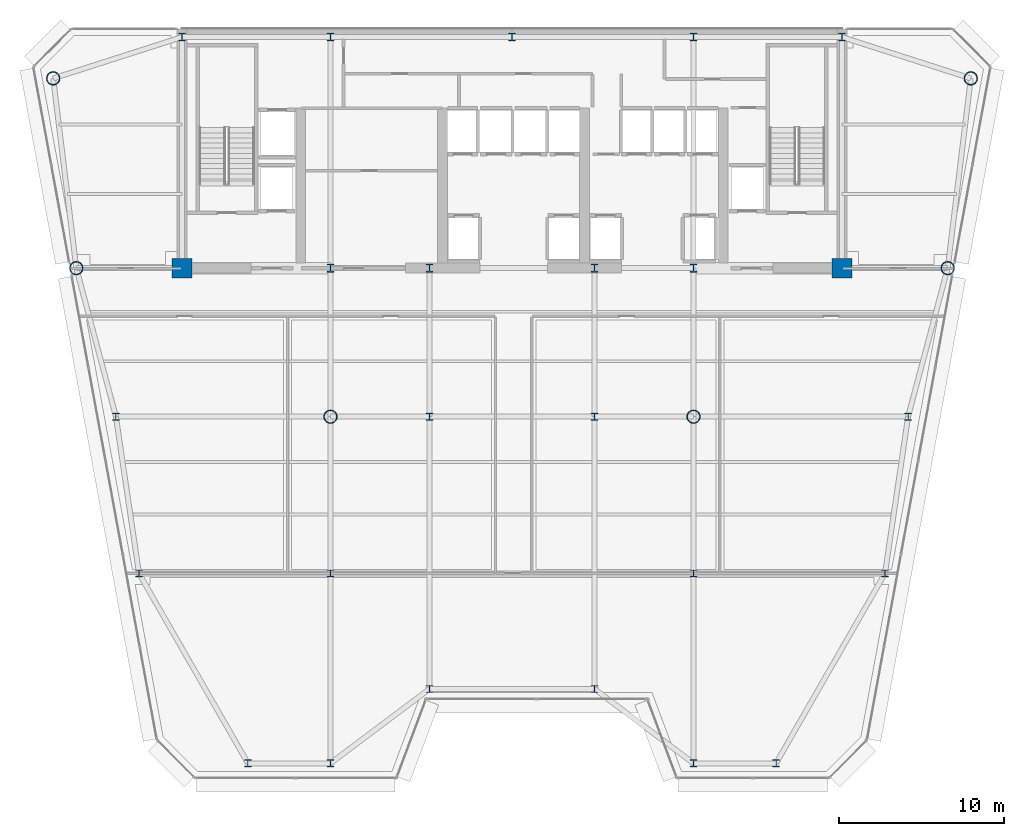
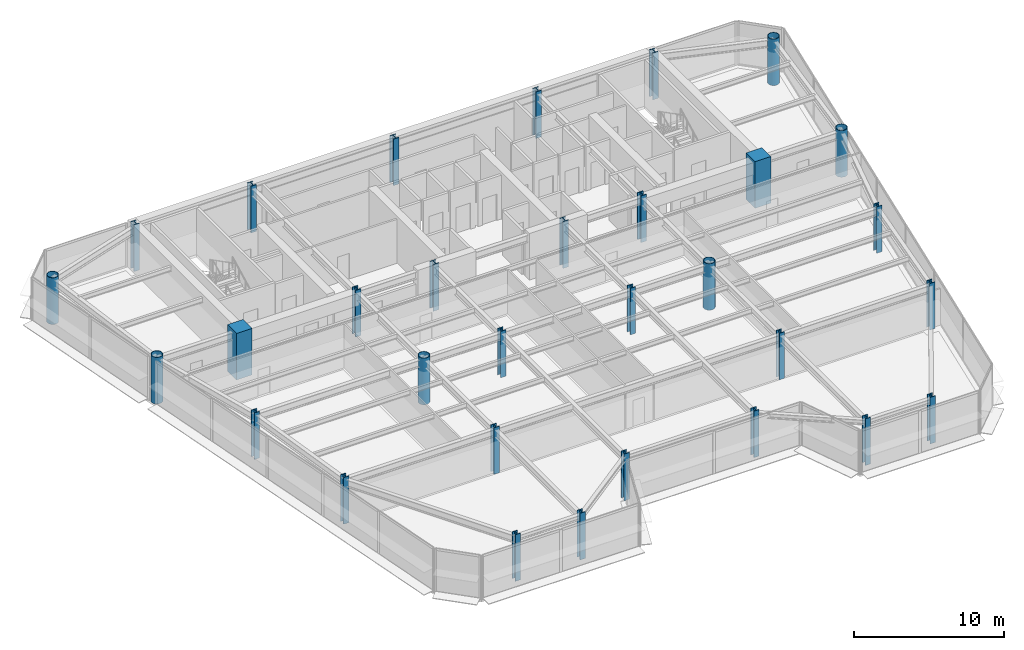
# One storey, part 1 of 15: 31 columns.
"""IFC4 building model written with IfcOpenShell, lengths in metres."""

from ifc_helpers import new_model, si_unit, direction, frame, origin, origin_2d, place, context, subcontext, project, spatial, rectangle, hollow_circle, i_section, extrude, source, transform, mapped, material, material_profile, profile_set, type_object, element, save


model = new_model("IFC4")

# Units and contexts
model_context = context("Model", 3, precision=1e-05, world=origin(), true_north=direction((0.0, 1.0)))
body_context = subcontext(model_context, "Body", "Model", "MODEL_VIEW")
ifc_project = project(units=[si_unit("LENGTHUNIT", "METRE"), si_unit("AREAUNIT", "SQUARE_METRE"), si_unit("VOLUMEUNIT", "CUBIC_METRE"), si_unit("PLANEANGLEUNIT", "RADIAN"), si_unit("MASSUNIT", "GRAM", prefix="KILO")], contexts=[model_context])

# Site, building, storey
site_placement = place(None, origin())
site = spatial("IfcSite", under=ifc_project, at=site_placement, CompositionType="ELEMENT")
building_placement = place(site_placement, origin())
building = spatial("IfcBuilding", under=site, at=building_placement, Name="Vaeldorn Concourse Tower", CompositionType="ELEMENT")
storey_placement = place(building_placement, frame((0.0, 0.0, 199.39990234375)))
storey = spatial("IfcBuildingStorey", under=building, at=storey_placement, Name="L51", CompositionType="ELEMENT", Elevation=199.39990234375)

# Columns
ifc_material_1 = material(Name="Concrete C50/60", Category="concrete")
ifc_material_profile_1 = material_profile(ifc_material_1, rectangle(XDim=1.199951171875, YDim=1.199951171875, at=origin_2d()), Name="RC 1200x1200")
ifc_profile_set_1 = profile_set([ifc_material_profile_1], Name="Concrete C50/60")
column_type_1 = type_object("IfcColumnType", Name="COL-RC1200", PredefinedType="COLUMN", material=ifc_profile_set_1)
shared_shape_1 = source(origin(), body_context, "Body", "SweptSolid", [
    extrude(rectangle(XDim=1.199951171875, YDim=1.199951171875, at=origin_2d()), origin(), (0.0, 0.0, 1.0), 3.800048828125),
])
for number, where, z_axis, x_axis, name in (
    (1, (14.0, 36.5, 0.0), (0.0, 0.0, 1.0), (1.0, 0.0, 0.0), "Column C-FC1 L51"),
    (2, (54.0, 36.5, 0.0), (0.0, 0.0, 1.0), (1.0, 0.0, 0.0), "Column C-FC6 L51"),
):
    element("IfcColumn", number, at=place(storey_placement, frame(where, z_axis=z_axis, x_axis=x_axis)), inside=storey, type_object=column_type_1, Name=name, PredefinedType="COLUMN", context=body_context, shape_type="MappedRepresentation", body=[
        mapped(shared_shape_1, transform((0.0, 0.0, 0.0), scale=1.0)),
    ])
ifc_material_2 = material(Name="Steel S460", Category="steel")
ifc_material_profile_2 = material_profile(ifc_material_2, i_section(OverallWidth=0.431884765625, OverallDepth=0.498046875, WebThickness=0.054931640625, FlangeThickness=0.068115234375, FilletRadius=0.014892578125, at=origin_2d()), Name="HD 400x744")
ifc_profile_set_2 = profile_set([ifc_material_profile_2], Name="Steel S460")
column_type_2 = type_object("IfcColumnType", Name="COL-HD744", PredefinedType="COLUMN", material=ifc_profile_set_2)
shared_shape_2 = source(origin(), body_context, "Body", "SweptSolid", [
    extrude(i_section(OverallWidth=0.431884765625, OverallDepth=0.498046875, WebThickness=0.054931640625, FlangeThickness=0.068115234375, FilletRadius=0.014892578125, at=origin_2d()), origin(), (0.0, 0.0, 1.0), 3.800048828125),
])
for number, where, z_axis, x_axis, name in (
    (3, (23.0, 36.5, 0.0), (0.0, 0.0, 1.0), (1.0, 0.0, 0.0), "Column C-FC2 L51"),
    (4, (29.0, 36.5, 0.0), (0.0, 0.0, 1.0), (1.0, 0.0, 0.0), "Column C-FC3 L51"),
    (5, (39.0, 36.5, 0.0), (0.0, 0.0, 1.0), (1.0, 0.0, 0.0), "Column C-FC4 L51"),
    (6, (45.0, 36.5, 0.0), (0.0, 0.0, 1.0), (1.0, 0.0, 0.0), "Column C-FC5 L51"),
    (7, (14.0, 50.5, 0.0), (0.0, 0.0, 1.0), (1.0, 0.0, 0.0), "Column C-HC1 L51"),
    (8, (23.0, 50.5, 0.0), (0.0, 0.0, 1.0), (1.0, 0.0, 0.0), "Column C-HC2 L51"),
    (9, (34.0, 50.5, 0.0), (0.0, 0.0, 1.0), (1.0, 0.0, 0.0), "Column C-HC3 L51"),
    (10, (45.0, 50.5, 0.0), (0.0, 0.0, 1.0), (1.0, 0.0, 0.0), "Column C-HC4 L51"),
    (11, (54.0, 50.5, 0.0), (0.0, 0.0, 1.0), (1.0, 0.0, 0.0), "Column C-HC5 L51"),
):
    element("IfcColumn", number, at=place(storey_placement, frame(where, z_axis=z_axis, x_axis=x_axis)), inside=storey, type_object=column_type_2, Name=name, PredefinedType="COLUMN", context=body_context, shape_type="MappedRepresentation", body=[
        mapped(shared_shape_2, transform((0.0, 0.0, 0.0), scale=1.0)),
    ])
ifc_material_profile_3 = material_profile(ifc_material_2, hollow_circle(Radius=0.406494140625, WallThickness=0.0400390625, at=origin_2d()), Name="CHS 813x40")
ifc_profile_set_3 = profile_set([ifc_material_profile_3], Name="Steel S460")
column_type_3 = type_object("IfcColumnType", Name="COL-CHS813", PredefinedType="COLUMN", material=ifc_profile_set_3)
shared_shape_3 = source(origin(), body_context, "Body", "SweptSolid", [
    extrude(hollow_circle(Radius=0.406494140625, WallThickness=0.0400390625, at=origin_2d()), origin(), (0.0, 0.0, 1.0), 3.800048828125),
])
for number, where, z_axis, x_axis, name in (
    (12, (6.199951171875, 48.0, 0.0), (0.0, 0.0, 1.0), (1.0, 0.0, 0.0), "Column C-NW1 L51"),
    (13, (7.60009765625, 36.5, 0.0), (0.0, 0.0, 1.0), (1.0, 0.0, 0.0), "Column C-NW2 L51"),
    (14, (61.800048828125, 48.0, 0.0), (0.0, 0.0, 1.0), (1.0, 0.0, 0.0), "Column C-NE1 L51"),
    (15, (60.39990234375, 36.5, 0.0), (0.0, 0.0, 1.0), (1.0, 0.0, 0.0), "Column C-NE2 L51"),
    (16, (23.0, 27.5, 0.0), (0.0, 0.0, 1.0), (1.0, 0.0, 0.0), "Column C-TW1 L51"),
    (17, (45.0, 27.5, 0.0), (0.0, 0.0, 1.0), (1.0, 0.0, 0.0), "Column C-TW4 L51"),
):
    element("IfcColumn", number, at=place(storey_placement, frame(where, z_axis=z_axis, x_axis=x_axis)), inside=storey, type_object=column_type_3, Name=name, PredefinedType="COLUMN", context=body_context, shape_type="MappedRepresentation", body=[
        mapped(shared_shape_3, transform((0.0, 0.0, 0.0), scale=1.0)),
    ])
ifc_material_3 = material(Name="Steel S355", Category="steel")
ifc_material_profile_4 = material_profile(ifc_material_3, i_section(OverallWidth=0.412109375, OverallDepth=0.43505859375, WebThickness=0.035888671875, FlangeThickness=0.050048828125, FilletRadius=0.014892578125, at=origin_2d()), Name="HD 400x463")
ifc_profile_set_4 = profile_set([ifc_material_profile_4], Name="Steel S355")
column_type_4 = type_object("IfcColumnType", Name="COL-HD463F", PredefinedType="COLUMN", material=ifc_profile_set_4)
shared_shape_4 = source(origin(), body_context, "Body", "SweptSolid", [
    extrude(i_section(OverallWidth=0.412109375, OverallDepth=0.43505859375, WebThickness=0.035888671875, FlangeThickness=0.050048828125, FilletRadius=0.014892578125, at=origin_2d()), origin(), (0.0, 0.0, 1.0), 3.800048828125),
])
for number, where, z_axis, x_axis, name in (
    (18, (10.0, 27.5, 0.0), (0.0, 0.0, 1.0), (1.0, 0.0, 0.0), "Column C-FLW1 L51"),
    (19, (11.39990234375, 18.0, 0.0), (0.0, 0.0, 1.0), (1.0, 0.0, 0.0), "Column C-FLW2 L51"),
    (20, (58.0, 27.5, 0.0), (0.0, 0.0, 1.0), (1.0, 0.0, 0.0), "Column C-FLE1 L51"),
    (21, (56.60009765625, 18.0, 0.0), (0.0, 0.0, 1.0), (1.0, 0.0, 0.0), "Column C-FLE2 L51"),
):
    element("IfcColumn", number, at=place(storey_placement, frame(where, z_axis=z_axis, x_axis=x_axis)), inside=storey, type_object=column_type_4, Name=name, PredefinedType="COLUMN", context=body_context, shape_type="MappedRepresentation", body=[
        mapped(shared_shape_4, transform((0.0, 0.0, 0.0), scale=1.0)),
    ])
ifc_material_profile_5 = material_profile(ifc_material_3, i_section(OverallWidth=0.412109375, OverallDepth=0.43505859375, WebThickness=0.035888671875, FlangeThickness=0.050048828125, FilletRadius=0.014892578125, at=origin_2d()), Name="HD 400x463")
ifc_profile_set_5 = profile_set([ifc_material_profile_5], Name="Steel S355")
column_type_5 = type_object("IfcColumnType", Name="COL-HD463T", PredefinedType="COLUMN", material=ifc_profile_set_5)
shared_shape_5 = source(origin(), body_context, "Body", "SweptSolid", [
    extrude(i_section(OverallWidth=0.412109375, OverallDepth=0.43505859375, WebThickness=0.035888671875, FlangeThickness=0.050048828125, FilletRadius=0.014892578125, at=origin_2d()), origin(), (0.0, 0.0, 1.0), 3.800048828125),
])
for number, where, z_axis, x_axis, name in (
    (22, (29.0, 27.5, 0.0), (0.0, 0.0, 1.0), (1.0, 0.0, 0.0), "Column C-TW2 L51"),
    (23, (39.0, 27.5, 0.0), (0.0, 0.0, 1.0), (1.0, 0.0, 0.0), "Column C-TW3 L51"),
    (24, (23.0, 18.0, 0.0), (0.0, 0.0, 1.0), (1.0, 0.0, 0.0), "Column C-TW5 L51"),
    (25, (45.0, 18.0, 0.0), (0.0, 0.0, 1.0), (1.0, 0.0, 0.0), "Column C-TW6 L51"),
    (26, (18.0, 6.5, 0.0), (0.0, 0.0, 1.0), (1.0, 0.0, 0.0), "Column C-SF1 L51"),
    (27, (23.0, 6.5, 0.0), (0.0, 0.0, 1.0), (1.0, 0.0, 0.0), "Column C-SF2 L51"),
    (28, (29.0, 11.0, 0.0), (0.0, 0.0, 1.0), (1.0, 0.0, 0.0), "Column C-SF3 L51"),
    (29, (39.0, 11.0, 0.0), (0.0, 0.0, 1.0), (1.0, 0.0, 0.0), "Column C-SF4 L51"),
    (30, (45.0, 6.5, 0.0), (0.0, 0.0, 1.0), (1.0, 0.0, 0.0), "Column C-SF5 L51"),
    (31, (50.0, 6.5, 0.0), (0.0, 0.0, 1.0), (1.0, 0.0, 0.0), "Column C-SF6 L51"),
):
    element("IfcColumn", number, at=place(storey_placement, frame(where, z_axis=z_axis, x_axis=x_axis)), inside=storey, type_object=column_type_5, Name=name, PredefinedType="COLUMN", context=body_context, shape_type="MappedRepresentation", body=[
        mapped(shared_shape_5, transform((0.0, 0.0, 0.0), scale=1.0)),
    ])

save(model, "model.ifc")
